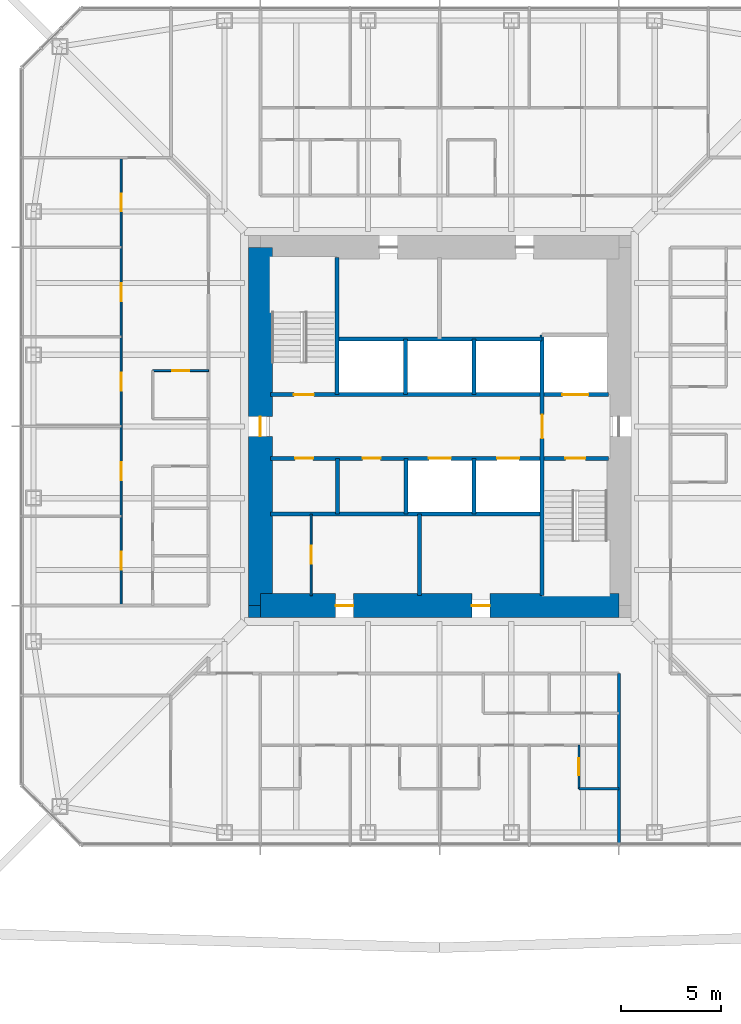
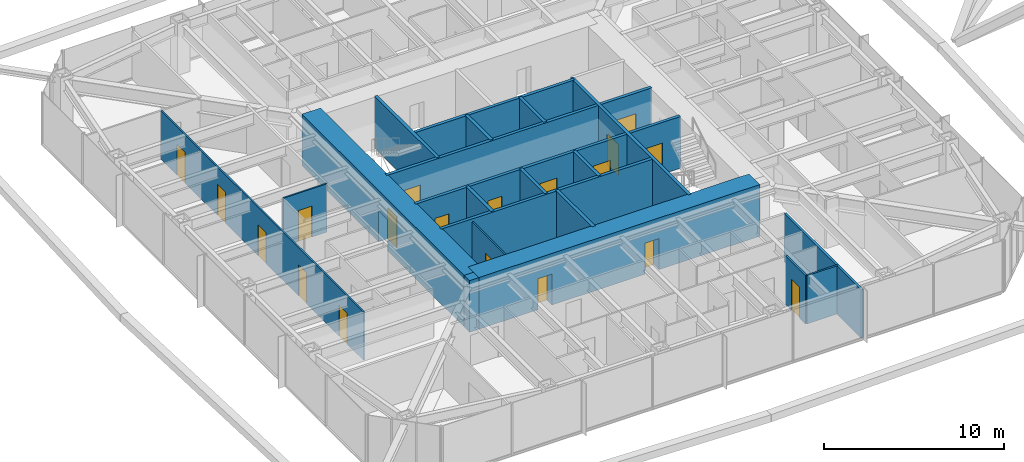
# One storey, part 16 of 27: 21 walls, 19 doors, 19 openings.
"""IFC4 building model written with IfcOpenShell, lengths in metres."""

import ifcopenshell
import ifcopenshell.guid

model = None  # the IFC model being written
_history = None  # IfcOwnerHistory: only IFC2X3 demands one
_inside = {}  # id of a spatial element -> (the spatial element, [elements in it])
_under = {}  # id of a project, library or spatial element -> (it, [spatial elements below it])
_declared = {}  # id of a project -> (the project, [libraries it declares])
_typed = {}  # id of a type object -> (the type object, [elements of that type])
_made_of = {}  # id of a material, layer set ... -> (it, [elements and type objects made of it])


def new_model(schema):
    """Start an empty IFC model of exactly this schema.

    Asked for "IFC4X3", IfcOpenShell would pick the latest addendum, in which some entities
    have other attributes; the version numbers below select the first issue.
    IFC2X3 requires an IfcOwnerHistory on every rooted entity: one is made here for all.
    """
    global model, _history
    if schema == "IFC4X3":
        model = ifcopenshell.file(schema_version=(4, 3, 0, 0))
    else:
        model = ifcopenshell.file(schema=schema)
    _inside.clear()
    _under.clear()
    _declared.clear()
    _typed.clear()
    _made_of.clear()
    _history = None
    if model.schema == "IFC2X3":
        org = make("IfcOrganization", Name="unknown")
        user = make(
            "IfcPersonAndOrganization",
            ThePerson=make("IfcPerson", FamilyName="unknown"),
            TheOrganization=org,
        )
        app = make(
            "IfcApplication",
            ApplicationDeveloper=org,
            Version="unknown",
            ApplicationFullName="unknown",
            ApplicationIdentifier="unknown",
        )
        _history = make(
            "IfcOwnerHistory",
            OwningUser=user,
            OwningApplication=app,
            ChangeAction="ADDED",
            CreationDate=0,
        )
    return model


def make(cls, **values):
    """One entity of the class cls with the attributes given. An attribute that is None is left unset."""
    return model.create_entity(
        cls, **{name: value for name, value in values.items() if value is not None}
    )


def rooted(cls, **values):
    """An entity with a GlobalId (a new one), such as an element, a storey or a relation."""
    return make(cls, GlobalId=ifcopenshell.guid.new(), OwnerHistory=_history, **values)


def si_unit(unit_type, name, prefix=None):
    """IfcSIUnit, for example si_unit("LENGTHUNIT", "METRE", prefix="MILLI")."""
    return make("IfcSIUnit", UnitType=unit_type, Prefix=prefix, Name=name)


def assignment(units):
    """IfcUnitAssignment: the units of a project."""
    return None if units is None else make("IfcUnitAssignment", Units=units)


def point(xyz):
    """IfcCartesianPoint."""
    return None if xyz is None else make("IfcCartesianPoint", Coordinates=xyz)


def direction(xyz):
    """IfcDirection."""
    return None if xyz is None else make("IfcDirection", DirectionRatios=xyz)


def frame(location, z_axis=None, x_axis=None):
    """IfcAxis2Placement3D, a coordinate frame: its origin and axes. An axis left out is left unset."""
    return make(
        "IfcAxis2Placement3D",
        Location=point(location),
        Axis=direction(z_axis),
        RefDirection=direction(x_axis),
    )


def frame_2d(location, x_axis=None):
    """IfcAxis2Placement2D, a coordinate frame in the plane: its origin and x axis."""
    return make(
        "IfcAxis2Placement2D", Location=point(location), RefDirection=direction(x_axis)
    )


def origin():
    """The frame at (0, 0, 0) with its axes left unset."""
    return frame((0.0, 0.0, 0.0))


def place(relative_to, where):
    """IfcLocalPlacement: puts the frame where relative to a parent placement (None: the world)."""
    return make(
        "IfcLocalPlacement", PlacementRelTo=relative_to, RelativePlacement=where
    )


def context(
    kind, dimensions, precision=None, world=None, true_north=None, identifier=None
):
    """IfcGeometricRepresentationContext, for example the 3D "Model" context."""
    return make(
        "IfcGeometricRepresentationContext",
        ContextIdentifier=identifier,
        ContextType=kind,
        CoordinateSpaceDimension=dimensions,
        Precision=precision,
        WorldCoordinateSystem=world,
        TrueNorth=true_north,
    )


def subcontext(parent, identifier, kind, view, scale=None):
    """IfcGeometricRepresentationSubContext, for example "Body" below "Model"."""
    return make(
        "IfcGeometricRepresentationSubContext",
        ContextIdentifier=identifier,
        ContextType=kind,
        ParentContext=parent,
        TargetScale=scale,
        TargetView=view,
    )


def project(units=None, contexts=None):
    """IfcProject with its units and contexts."""
    return rooted(
        "IfcProject",
        Name="project",
        RepresentationContexts=contexts,
        UnitsInContext=assignment(units),
    )


def spatial(cls, under=None, at=None, **own):
    """A site, building, storey or space (cls), placed at a placement, below another one or the project."""
    s = rooted(cls, ObjectPlacement=at, **own)
    if under is not None:
        _under.setdefault(under.id(), (under, []))[1].append(s)
    return s


def profile(cls, at=None, kind="AREA", **sizes):
    """A parametric profile (cls). Its sizes go by their IFC names, for example OverallWidth=200.0."""
    return make(cls, ProfileType=kind, Position=at, **sizes)


def rectangle(**sizes):
    """IfcRectangleProfileDef."""
    return profile("IfcRectangleProfileDef", **sizes)


def extrude(swept, where, along, depth):
    """IfcExtrudedAreaSolid: the profile swept, set in the frame where, extruded along a direction by depth."""
    return make(
        "IfcExtrudedAreaSolid",
        SweptArea=swept,
        Position=where,
        ExtrudedDirection=direction(along),
        Depth=depth,
    )


def shape(context_of_items, identifier, shape_type, items):
    """IfcShapeRepresentation: the items that make up one representation, for example the "Body"."""
    return make(
        "IfcShapeRepresentation",
        ContextOfItems=context_of_items,
        RepresentationIdentifier=identifier,
        RepresentationType=shape_type,
        Items=items,
    )


def material(Name=None, Category=None):
    """IfcMaterial."""
    return make("IfcMaterial", Name=Name, Category=Category)


def layer(
    of_material, thickness, ventilated=None, Name=None, Category=None, Priority=None
):
    """IfcMaterialLayer: one layer of a wall or slab, of a material (None: an air gap)."""
    return make(
        "IfcMaterialLayer",
        Material=of_material,
        LayerThickness=thickness,
        IsVentilated=ventilated,
        Name=Name,
        Category=Category,
        Priority=Priority,
    )


def layer_set(layers, Name=None):
    """IfcMaterialLayerSet."""
    return make("IfcMaterialLayerSet", MaterialLayers=layers, LayerSetName=Name)


def made_of(thing, what):
    """Note that an element or type object is made of a material, layer set ...; save() writes the relation."""
    if what is not None:
        _made_of.setdefault(what.id(), (what, []))[1].append(thing)
    return thing


def type_object(cls, material=None, **own):
    """A type object (cls), such as IfcWallType, which elements share."""
    return made_of(rooted(cls, **own), material)


def element(
    cls,
    number,
    at=None,
    inside=None,
    cuts=None,
    type_object=None,
    material=None,
    context=None,
    identifier="Body",
    shape_type=None,
    held_by="IfcProductDefinitionShape",
    body=None,
    shapes=None,
    **own,
):
    """One element of the class cls, such as IfcWall. Its Tag is "e" and its number.

    at: its placement. inside: the storey or other place that contains it. cuts: it is an
    opening in that element (IfcRelVoidsElement). A single representation is given by context,
    identifier, shape_type and body (its items); several are given by shapes. held_by: the class
    of the entity that holds the representations. save() writes the other relations.
    """
    e = rooted(cls, Tag="e%d" % number, ObjectPlacement=at, **own)
    if body is not None:
        shapes = [shape(context, identifier, shape_type, body)]
    if shapes is not None:
        e.Representation = make(held_by, Representations=shapes)
    if inside is not None:
        _inside.setdefault(inside.id(), (inside, []))[1].append(e)
    if cuts is not None:
        rooted(
            "IfcRelVoidsElement", RelatingBuildingElement=cuts, RelatedOpeningElement=e
        )
    if type_object is not None:
        _typed.setdefault(type_object.id(), (type_object, []))[1].append(e)
    return made_of(e, material)


def fill(opening, filler):
    """IfcRelFillsElement: the door or window that sits in an opening."""
    return rooted(
        "IfcRelFillsElement",
        RelatingOpeningElement=opening,
        RelatedBuildingElement=filler,
    )


def aggregate(whole, parts):
    """IfcRelAggregates: a whole, such as a stair, and the parts it consists of."""
    return rooted("IfcRelAggregates", RelatingObject=whole, RelatedObjects=parts)


def save(model, path):
    """Write the relations noted so far, then the file.

    IfcRelAggregates (storeys below a building ...), IfcRelContainedInSpatialStructure (elements
    in a storey), IfcRelDefinesByType, IfcRelAssociatesMaterial and IfcRelDeclares: one each for
    every whole, place, type object, material and project.
    """
    for whole, parts in _under.values():
        aggregate(whole, parts)
    for where, things in _inside.values():
        rooted(
            "IfcRelContainedInSpatialStructure",
            RelatedElements=things,
            RelatingStructure=where,
        )
    for kind, things in _typed.values():
        rooted("IfcRelDefinesByType", RelatedObjects=things, RelatingType=kind)
    for what, things in _made_of.values():
        rooted("IfcRelAssociatesMaterial", RelatedObjects=things, RelatingMaterial=what)
    for by, libraries in _declared.values():
        rooted("IfcRelDeclares", RelatingContext=by, RelatedDefinitions=libraries)
    model.write(path)


model = new_model("IFC4")

# Units and contexts
model_context = context("Model", 3, precision=1e-05, world=origin(), true_north=direction((0.0, 1.0)))
body_context = subcontext(model_context, "Body", "Model", "MODEL_VIEW")
ifc_project = project(units=[si_unit("LENGTHUNIT", "METRE"), si_unit("AREAUNIT", "SQUARE_METRE"), si_unit("VOLUMEUNIT", "CUBIC_METRE"), si_unit("PLANEANGLEUNIT", "RADIAN"), si_unit("MASSUNIT", "GRAM", prefix="KILO")], contexts=[model_context])

# Site, building, storey
site_placement = place(None, origin())
site = spatial("IfcSite", under=ifc_project, at=site_placement, CompositionType="ELEMENT")
building_placement = place(site_placement, origin())
building = spatial("IfcBuilding", under=site, at=building_placement, Name="Iwan Alto Co-Living Towers", CompositionType="ELEMENT")
storey_placement = place(building_placement, frame((0.0, 0.0, 91.0)))
storey = spatial("IfcBuildingStorey", under=building, at=storey_placement, Name="L24", CompositionType="ELEMENT", Elevation=91.0)

# Wall
ifc_material_1 = material(Name="Gypsum board")
ifc_layer_1 = layer(ifc_material_1, 0.02490234375, Name="Board", Category="Finish")
ifc_material_2 = material(Name="Steel ASTM A1003 ST33H cold-formed studs", Category="steel")
ifc_layer_2 = layer(ifc_material_2, 0.10009765625, Name="Studs", Category="Framing")
ifc_layer_3 = layer(ifc_material_1, 0.02490234375, Name="Board", Category="Finish")
ifc_layer_set_1 = layer_set([ifc_layer_1, ifc_layer_2, ifc_layer_3], Name="CORRIDOR WALL 150")
wall_type_1 = type_object("IfcWallType", Name="CORRIDOR WALL 150", PredefinedType="PARTITIONING", material=ifc_layer_set_1)
wall_1_placement = place(storey_placement, frame((9.0, -20.93994140625, 0.0), z_axis=(0.0, 0.0, 1.0), x_axis=(0.0, 1.0, 0.0)))
element("IfcWall", 1, at=wall_1_placement, inside=storey, type_object=wall_type_1, Name="Partition L24", PredefinedType="PARTITIONING", context=body_context, shape_type="SweptSolid", body=[
    extrude(rectangle(XDim=8.5400390625, YDim=0.14990234375, at=frame_2d((4.27001953125, 0.0))), origin(), (0.0, 0.0, 1.0), 3.27001953125),
])

# Wall, opening, door
ifc_layer_4 = layer(ifc_material_1, 0.012451171875, Name="Board", Category="Finish")
ifc_layer_5 = layer(ifc_material_2, 0.074951171875, Name="Studs", Category="Framing")
ifc_layer_6 = layer(ifc_material_1, 0.012451171875, Name="Board", Category="Finish")
ifc_layer_set_2 = layer_set([ifc_layer_4, ifc_layer_5, ifc_layer_6], Name="PARTITION 100")
wall_type_2 = type_object("IfcWallType", Name="PARTITION 100", PredefinedType="PARTITIONING", material=ifc_layer_set_2)
wall_2_placement = place(storey_placement, frame((-14.39990234375, 2.800048828125, 0.0), z_axis=(0.0, 0.0, 1.0), x_axis=(1.0, 0.0, 0.0)))
wall_2 = element("IfcWall", 2, at=wall_2_placement, inside=storey, type_object=wall_type_2, Name="Partition L24", PredefinedType="PARTITIONING", context=body_context, shape_type="SweptSolid", body=[
    extrude(rectangle(XDim=2.7998046875, YDim=0.10009765625, at=frame_2d((1.39990234375, 0.0))), origin(), (0.0, 0.0, 1.0), 3.27001953125),
])
opening_1_placement = place(wall_2_placement, frame((0.97509765625, 0.0, 0.0)))
opening_1 = element("IfcOpeningElement", 3, at=opening_1_placement, cuts=wall_2, Name="Opening D2", PredefinedType="OPENING", context=body_context, shape_type="SweptSolid", body=[
    extrude(rectangle(XDim=0.85009765625, YDim=2.10009765625, at=frame_2d((0.425048828125, 1.050048828125))), frame((0.0, 0.06005859375, 0.0), z_axis=(0.0, -1.0, 0.0), x_axis=(1.0, 0.0, 0.0)), (0.0, 0.0, 1.0), 0.1201171875),
])
ifc_material_3 = material(Name="Timber leaf in steel frame", Category="steel")
door_type_1 = type_object("IfcDoorType", Name="ROOM DOOR 850X2100", OperationType="SINGLE_SWING_LEFT", PredefinedType="DOOR", material=ifc_material_3)
door_1_placement = place(opening_1_placement, origin())
door_1 = element("IfcDoor", 4, at=door_1_placement, inside=storey, type_object=door_type_1, Name="Store room door L24", OperationType="SINGLE_SWING_RIGHT", OverallHeight=2.10009765625, OverallWidth=0.85009765625, PredefinedType="DOOR", context=body_context, shape_type="SweptSolid", body=[
    extrude(rectangle(XDim=0.85009765625, YDim=2.10009765625, at=frame_2d((0.425048828125, 1.050048828125))), frame((0.0, 0.02490234375, 0.0), z_axis=(0.0, -1.0, 0.0), x_axis=(1.0, 0.0, 0.0)), (0.0, 0.0, 1.0), 0.050048828125),
])
fill(opening_1, door_1)

wall_3_placement = place(storey_placement, frame((-6.449951171875, -8.489990234375, 0.0), z_axis=(0.0, 0.0, 1.0), x_axis=(0.0, 1.0, 0.0)))
wall_3 = element("IfcWall", 5, at=wall_3_placement, inside=storey, type_object=wall_type_2, Name="Partition L24", PredefinedType="PARTITIONING", context=body_context, shape_type="SweptSolid", body=[
    extrude(rectangle(XDim=4.090087890625, YDim=0.10009765625, at=frame_2d((2.044921875, 0.0))), origin(), (0.0, 0.0, 1.0), 3.300048828125),
])
opening_2_placement = place(wall_3_placement, frame((1.594970703125, 0.0, 0.0)))
opening_2 = element("IfcOpeningElement", 6, at=opening_2_placement, cuts=wall_3, Name="Opening D16", PredefinedType="OPENING", context=body_context, shape_type="SweptSolid", body=[
    extrude(rectangle(XDim=0.89990234375, YDim=2.10009765625, at=frame_2d((0.449951171875, 1.050048828125))), frame((0.0, 0.06005859375, 0.0), z_axis=(0.0, -1.0, 0.0), x_axis=(1.0, 0.0, 0.0)), (0.0, 0.0, 1.0), 0.1201171875),
])
ifc_material_4 = material(Name="Timber leaf in steel frame", Category="steel")
door_type_2 = type_object("IfcDoorType", Name="CUPBOARD SLIDING DOOR 900X2100", OperationType="SLIDING_TO_LEFT", PredefinedType="DOOR", material=ifc_material_4)
door_2_placement = place(opening_2_placement, origin())
door_2 = element("IfcDoor", 7, at=door_2_placement, inside=storey, type_object=door_type_2, Name="Cleaner's store door L24", OperationType="SLIDING_TO_LEFT", OverallHeight=2.10009765625, OverallWidth=0.89990234375, PredefinedType="DOOR", context=body_context, shape_type="SweptSolid", body=[
    extrude(rectangle(XDim=0.89990234375, YDim=2.10009765625, at=frame_2d((0.449951171875, 1.050048828125))), frame((0.0, 0.02490234375, 0.0), z_axis=(0.0, -1.0, 0.0), x_axis=(1.0, 0.0, 0.0)), (0.0, 0.0, 1.0), 0.050048828125),
])
fill(opening_2, door_2)

# Wall, openings, doors
wall_4_placement = place(storey_placement, frame((-16.0, -9.0, 0.0), z_axis=(0.0, 0.0, 1.0), x_axis=(0.0, 1.0, 0.0)))
wall_4 = element("IfcWall", 8, at=wall_4_placement, inside=storey, type_object=wall_type_2, Name="Partition L24", PredefinedType="PARTITIONING", context=body_context, shape_type="SweptSolid", body=[
    extrude(rectangle(XDim=22.5, YDim=0.10009765625, at=frame_2d((11.25, 0.0))), origin(), (0.0, 0.0, 1.0), 3.27001953125),
])
opening_3_placement = place(wall_4_placement, frame((19.800048828125, 0.0, 0.0)))
opening_3 = element("IfcOpeningElement", 9, at=opening_3_placement, cuts=wall_4, Name="Opening D1", PredefinedType="OPENING", context=body_context, shape_type="SweptSolid", body=[
    extrude(rectangle(XDim=0.89990234375, YDim=2.10009765625, at=frame_2d((0.449951171875, 1.050048828125))), frame((0.0, 0.06005859375, 0.0), z_axis=(0.0, -1.0, 0.0), x_axis=(1.0, 0.0, 0.0)), (0.0, 0.0, 1.0), 0.1201171875),
])
opening_4_placement = place(wall_4_placement, frame((15.300048828125, 0.0, 0.0)))
opening_4 = element("IfcOpeningElement", 10, at=opening_4_placement, cuts=wall_4, Name="Opening D1", PredefinedType="OPENING", context=body_context, shape_type="SweptSolid", body=[
    extrude(rectangle(XDim=0.89990234375, YDim=2.10009765625, at=frame_2d((0.449951171875, 1.050048828125))), frame((0.0, 0.06005859375, 0.0), z_axis=(0.0, -1.0, 0.0), x_axis=(1.0, 0.0, 0.0)), (0.0, 0.0, 1.0), 0.1201171875),
])
opening_5_placement = place(wall_4_placement, frame((10.800048828125, 0.0, 0.0)))
opening_5 = element("IfcOpeningElement", 11, at=opening_5_placement, cuts=wall_4, Name="Opening D1", PredefinedType="OPENING", context=body_context, shape_type="SweptSolid", body=[
    extrude(rectangle(XDim=0.89990234375, YDim=2.10009765625, at=frame_2d((0.449951171875, 1.050048828125))), frame((0.0, 0.06005859375, 0.0), z_axis=(0.0, -1.0, 0.0), x_axis=(1.0, 0.0, 0.0)), (0.0, 0.0, 1.0), 0.1201171875),
])
opening_6_placement = place(wall_4_placement, frame((6.300048828125, 0.0, 0.0)))
opening_6 = element("IfcOpeningElement", 12, at=opening_6_placement, cuts=wall_4, Name="Opening D1", PredefinedType="OPENING", context=body_context, shape_type="SweptSolid", body=[
    extrude(rectangle(XDim=0.89990234375, YDim=2.10009765625, at=frame_2d((0.449951171875, 1.050048828125))), frame((0.0, 0.06005859375, 0.0), z_axis=(0.0, -1.0, 0.0), x_axis=(1.0, 0.0, 0.0)), (0.0, 0.0, 1.0), 0.1201171875),
])
opening_7_placement = place(wall_4_placement, frame((1.800048828125, 0.0, 0.0)))
opening_7 = element("IfcOpeningElement", 13, at=opening_7_placement, cuts=wall_4, Name="Opening D1", PredefinedType="OPENING", context=body_context, shape_type="SweptSolid", body=[
    extrude(rectangle(XDim=0.89990234375, YDim=2.10009765625, at=frame_2d((0.449951171875, 1.050048828125))), frame((0.0, 0.06005859375, 0.0), z_axis=(0.0, -1.0, 0.0), x_axis=(1.0, 0.0, 0.0)), (0.0, 0.0, 1.0), 0.1201171875),
])
ifc_material_5 = material(Name="Timber leaf in steel frame", Category="steel")
door_type_3 = type_object("IfcDoorType", Name="BEDROOM DOOR 900X2100", OperationType="SINGLE_SWING_LEFT", PredefinedType="DOOR", material=ifc_material_5)
door_3_placement = place(opening_3_placement, frame((0.89990234375, 0.0, 0.0), z_axis=(0.0, 0.0, 1.0), x_axis=(-1.0, 0.0, 0.0)))
door_3 = element("IfcDoor", 14, at=door_3_placement, inside=storey, type_object=door_type_3, Name="Study bedroom door L24", OperationType="SINGLE_SWING_LEFT", OverallHeight=2.10009765625, OverallWidth=0.89990234375, PredefinedType="DOOR", context=body_context, shape_type="SweptSolid", body=[
    extrude(rectangle(XDim=0.89990234375, YDim=2.10009765625, at=frame_2d((0.449951171875, 1.050048828125))), frame((0.0, 0.02490234375, 0.0), z_axis=(0.0, -1.0, 0.0), x_axis=(1.0, 0.0, 0.0)), (0.0, 0.0, 1.0), 0.050048828125),
])
fill(opening_3, door_3)
door_4_placement = place(opening_4_placement, frame((0.89990234375, 0.0, 0.0), z_axis=(0.0, 0.0, 1.0), x_axis=(-1.0, 0.0, 0.0)))
door_4 = element("IfcDoor", 15, at=door_4_placement, inside=storey, type_object=door_type_3, Name="Study bedroom door L24", OperationType="SINGLE_SWING_LEFT", OverallHeight=2.10009765625, OverallWidth=0.89990234375, PredefinedType="DOOR", context=body_context, shape_type="SweptSolid", body=[
    extrude(rectangle(XDim=0.89990234375, YDim=2.10009765625, at=frame_2d((0.449951171875, 1.050048828125))), frame((0.0, 0.02490234375, 0.0), z_axis=(0.0, -1.0, 0.0), x_axis=(1.0, 0.0, 0.0)), (0.0, 0.0, 1.0), 0.050048828125),
])
fill(opening_4, door_4)
door_5_placement = place(opening_5_placement, frame((0.89990234375, 0.0, 0.0), z_axis=(0.0, 0.0, 1.0), x_axis=(-1.0, 0.0, 0.0)))
door_5 = element("IfcDoor", 16, at=door_5_placement, inside=storey, type_object=door_type_3, Name="Study bedroom door L24", OperationType="SINGLE_SWING_RIGHT", OverallHeight=2.10009765625, OverallWidth=0.89990234375, PredefinedType="DOOR", context=body_context, shape_type="SweptSolid", body=[
    extrude(rectangle(XDim=0.89990234375, YDim=2.10009765625, at=frame_2d((0.449951171875, 1.050048828125))), frame((0.0, 0.02490234375, 0.0), z_axis=(0.0, -1.0, 0.0), x_axis=(1.0, 0.0, 0.0)), (0.0, 0.0, 1.0), 0.050048828125),
])
fill(opening_5, door_5)
door_6_placement = place(opening_6_placement, frame((0.89990234375, 0.0, 0.0), z_axis=(0.0, 0.0, 1.0), x_axis=(-1.0, 0.0, 0.0)))
door_6 = element("IfcDoor", 17, at=door_6_placement, inside=storey, type_object=door_type_3, Name="Study bedroom door L24", OperationType="SINGLE_SWING_RIGHT", OverallHeight=2.10009765625, OverallWidth=0.89990234375, PredefinedType="DOOR", context=body_context, shape_type="SweptSolid", body=[
    extrude(rectangle(XDim=0.89990234375, YDim=2.10009765625, at=frame_2d((0.449951171875, 1.050048828125))), frame((0.0, 0.02490234375, 0.0), z_axis=(0.0, -1.0, 0.0), x_axis=(1.0, 0.0, 0.0)), (0.0, 0.0, 1.0), 0.050048828125),
])
fill(opening_6, door_6)
door_7_placement = place(opening_7_placement, frame((0.89990234375, 0.0, 0.0), z_axis=(0.0, 0.0, 1.0), x_axis=(-1.0, 0.0, 0.0)))
door_7 = element("IfcDoor", 18, at=door_7_placement, inside=storey, type_object=door_type_3, Name="Study bedroom door L24", OperationType="SINGLE_SWING_RIGHT", OverallHeight=2.10009765625, OverallWidth=0.89990234375, PredefinedType="DOOR", context=body_context, shape_type="SweptSolid", body=[
    extrude(rectangle(XDim=0.89990234375, YDim=2.10009765625, at=frame_2d((0.449951171875, 1.050048828125))), frame((0.0, 0.02490234375, 0.0), z_axis=(0.0, -1.0, 0.0), x_axis=(1.0, 0.0, 0.0)), (0.0, 0.0, 1.0), 0.050048828125),
])
fill(opening_7, door_7)

# Wall
ifc_material_6 = material(Name="Concrete f'c 70 MPa", Category="concrete")
ifc_layer_7 = layer(ifc_material_6, 0.199951171875)
ifc_layer_set_3 = layer_set([ifc_layer_7], Name="SHAFT WALL 200")
wall_type_3 = type_object("IfcWallType", Name="SHAFT WALL 200", PredefinedType="SOLIDWALL", material=ifc_layer_set_3)
wall_5_placement = place(storey_placement, frame((-8.489990234375, -4.39990234375, 0.0), z_axis=(0.0, 0.0, 1.0), x_axis=(1.0, 0.0, 0.0)))
element("IfcWall", 19, at=wall_5_placement, inside=storey, type_object=wall_type_3, Name="Shaft wall L24", PredefinedType="SOLIDWALL", context=body_context, shape_type="SweptSolid", body=[
    extrude(rectangle(XDim=13.639892578125, YDim=0.199951171875, at=frame_2d((6.81982421875, 0.0))), origin(), (0.0, 0.0, 1.0), 3.5),
])

# Wall, openings, doors
wall_6_placement = place(storey_placement, frame((-8.489990234375, -1.60009765625, 0.0), z_axis=(0.0, 0.0, 1.0), x_axis=(1.0, 0.0, 0.0)))
wall_6 = element("IfcWall", 20, at=wall_6_placement, inside=storey, type_object=wall_type_3, Name="Shaft wall L24", PredefinedType="SOLIDWALL", context=body_context, shape_type="SweptSolid", body=[
    extrude(rectangle(XDim=16.97998046875, YDim=0.199951171875, at=frame_2d((8.489990234375, 0.0))), origin(), (0.0, 0.0, 1.0), 3.5),
])
opening_8_placement = place(wall_6_placement, frame((14.81005859375, 0.0, 0.0)))
opening_8 = element("IfcOpeningElement", 21, at=opening_8_placement, cuts=wall_6, Name="Opening D5", PredefinedType="OPENING", context=body_context, shape_type="SweptSolid", body=[
    extrude(rectangle(XDim=1.0, YDim=2.10009765625, at=frame_2d((0.5, 1.050048828125))), frame((0.0, 0.10986328125, 0.0), z_axis=(0.0, -1.0, 0.0), x_axis=(1.0, 0.0, 0.0)), (0.0, 0.0, 1.0), 0.219970703125),
])
opening_9_placement = place(wall_6_placement, frame((1.23193359375, 0.0, 0.0)))
opening_9 = element("IfcOpeningElement", 22, at=opening_9_placement, cuts=wall_6, Name="Opening D15", PredefinedType="OPENING", context=body_context, shape_type="SweptSolid", body=[
    extrude(rectangle(XDim=0.89990234375, YDim=2.10009765625, at=frame_2d((0.449951171875, 1.050048828125))), frame((0.0, 0.10986328125, 0.0), z_axis=(0.0, -1.0, 0.0), x_axis=(1.0, 0.0, 0.0)), (0.0, 0.0, 1.0), 0.219970703125),
])
opening_10_placement = place(wall_6_placement, frame((4.626953125, 0.0, 0.0)))
opening_10 = element("IfcOpeningElement", 23, at=opening_10_placement, cuts=wall_6, Name="Opening D15", PredefinedType="OPENING", context=body_context, shape_type="SweptSolid", body=[
    extrude(rectangle(XDim=0.89990234375, YDim=2.10009765625, at=frame_2d((0.449951171875, 1.050048828125))), frame((0.0, 0.10986328125, 0.0), z_axis=(0.0, -1.0, 0.0), x_axis=(1.0, 0.0, 0.0)), (0.0, 0.0, 1.0), 0.219970703125),
])
opening_11_placement = place(wall_6_placement, frame((7.952880859375, 0.0, 0.0)))
opening_11 = element("IfcOpeningElement", 24, at=opening_11_placement, cuts=wall_6, Name="Opening LD", PredefinedType="OPENING", context=body_context, shape_type="SweptSolid", body=[
    extrude(rectangle(XDim=1.10009765625, YDim=2.10009765625, at=frame_2d((0.550048828125, 1.050048828125))), frame((0.0, 0.10986328125, 0.0), z_axis=(0.0, -1.0, 0.0), x_axis=(1.0, 0.0, 0.0)), (0.0, 0.0, 1.0), 0.219970703125),
])
opening_12_placement = place(wall_6_placement, frame((11.3779296875, 0.0, 0.0)))
opening_12 = element("IfcOpeningElement", 25, at=opening_12_placement, cuts=wall_6, Name="Opening LD", PredefinedType="OPENING", context=body_context, shape_type="SweptSolid", body=[
    extrude(rectangle(XDim=1.10009765625, YDim=2.10009765625, at=frame_2d((0.550048828125, 1.050048828125))), frame((0.0, 0.10986328125, 0.0), z_axis=(0.0, -1.0, 0.0), x_axis=(1.0, 0.0, 0.0)), (0.0, 0.0, 1.0), 0.219970703125),
])
ifc_material_7 = material(Name="Steel frame with timber leaf", Category="steel")
door_type_4 = type_object("IfcDoorType", Name="CORE ROOM DOOR FD60S 900X2100", OperationType="SINGLE_SWING_LEFT", PredefinedType="DOOR", material=ifc_material_7)
door_8_placement = place(opening_9_placement, frame((0.89990234375, 0.0, 0.0), z_axis=(0.0, 0.0, 1.0), x_axis=(-1.0, 0.0, 0.0)))
door_8 = element("IfcDoor", 26, at=door_8_placement, inside=storey, type_object=door_type_4, Name="Comms room door L24", OperationType="SINGLE_SWING_LEFT", OverallHeight=2.10009765625, OverallWidth=0.89990234375, PredefinedType="DOOR", context=body_context, shape_type="SweptSolid", body=[
    extrude(rectangle(XDim=0.89990234375, YDim=2.10009765625, at=frame_2d((0.449951171875, 1.050048828125))), frame((0.0, 0.02490234375, 0.0), z_axis=(0.0, -1.0, 0.0), x_axis=(1.0, 0.0, 0.0)), (0.0, 0.0, 1.0), 0.050048828125),
])
fill(opening_9, door_8)
door_9_placement = place(opening_10_placement, frame((0.89990234375, 0.0, 0.0), z_axis=(0.0, 0.0, 1.0), x_axis=(-1.0, 0.0, 0.0)))
door_9 = element("IfcDoor", 27, at=door_9_placement, inside=storey, type_object=door_type_4, Name="Staff WC door L24", OperationType="SINGLE_SWING_RIGHT", OverallHeight=2.10009765625, OverallWidth=0.89990234375, PredefinedType="DOOR", context=body_context, shape_type="SweptSolid", body=[
    extrude(rectangle(XDim=0.89990234375, YDim=2.10009765625, at=frame_2d((0.449951171875, 1.050048828125))), frame((0.0, 0.02490234375, 0.0), z_axis=(0.0, -1.0, 0.0), x_axis=(1.0, 0.0, 0.0)), (0.0, 0.0, 1.0), 0.050048828125),
])
fill(opening_10, door_9)
ifc_material_8 = material(Name="Steel frame with timber leaf", Category="steel")
door_type_5 = type_object("IfcDoorType", Name="LIFT LANDING DOOR 1100X2100", OperationType="DOUBLE_DOOR_SLIDING", PredefinedType="DOOR", material=ifc_material_8)
door_10_placement = place(opening_11_placement, origin())
door_10 = element("IfcDoor", 28, at=door_10_placement, inside=storey, type_object=door_type_5, Name="Lift P2-3 landing door L24", OperationType="DOUBLE_DOOR_SLIDING", OverallHeight=2.10009765625, OverallWidth=1.10009765625, PredefinedType="DOOR", context=body_context, shape_type="SweptSolid", body=[
    extrude(rectangle(XDim=1.10009765625, YDim=2.10009765625, at=frame_2d((0.550048828125, 1.050048828125))), frame((0.0, 0.02490234375, 0.0), z_axis=(0.0, -1.0, 0.0), x_axis=(1.0, 0.0, 0.0)), (0.0, 0.0, 1.0), 0.050048828125),
])
fill(opening_11, door_10)
door_11_placement = place(opening_12_placement, origin())
door_11 = element("IfcDoor", 29, at=door_11_placement, inside=storey, type_object=door_type_5, Name="Lift P2-4 landing door L24", OperationType="DOUBLE_DOOR_SLIDING", OverallHeight=2.10009765625, OverallWidth=1.10009765625, PredefinedType="DOOR", context=body_context, shape_type="SweptSolid", body=[
    extrude(rectangle(XDim=1.10009765625, YDim=2.10009765625, at=frame_2d((0.550048828125, 1.050048828125))), frame((0.0, 0.02490234375, 0.0), z_axis=(0.0, -1.0, 0.0), x_axis=(1.0, 0.0, 0.0)), (0.0, 0.0, 1.0), 0.050048828125),
])
fill(opening_12, door_11)
ifc_material_9 = material(Name="Steel frame with timber leaf", Category="steel")
door_type_6 = type_object("IfcDoorType", Name="STAIR DOOR FD120S 1000X2100", OperationType="SINGLE_SWING_LEFT", PredefinedType="DOOR", material=ifc_material_9)
door_12_placement = place(opening_8_placement, frame((1.0, 0.0, 0.0), z_axis=(0.0, 0.0, 1.0), x_axis=(-1.0, 0.0, 0.0)))
door_12 = element("IfcDoor", 30, at=door_12_placement, inside=storey, type_object=door_type_6, Name="Stair S2 door L24", OperationType="SINGLE_SWING_RIGHT", OverallHeight=2.10009765625, OverallWidth=1.0, PredefinedType="DOOR", context=body_context, shape_type="SweptSolid", body=[
    extrude(rectangle(XDim=1.0, YDim=2.10009765625, at=frame_2d((0.5, 1.050048828125))), frame((0.0, 0.02490234375, 0.0), z_axis=(0.0, -1.0, 0.0), x_axis=(1.0, 0.0, 0.0)), (0.0, 0.0, 1.0), 0.050048828125),
])
fill(opening_8, door_12)

wall_7_placement = place(storey_placement, frame((-8.489990234375, 1.60009765625, 0.0), z_axis=(0.0, 0.0, 1.0), x_axis=(1.0, 0.0, 0.0)))
wall_7 = element("IfcWall", 31, at=wall_7_placement, inside=storey, type_object=wall_type_3, Name="Shaft wall L24", PredefinedType="SOLIDWALL", context=body_context, shape_type="SweptSolid", body=[
    extrude(rectangle(XDim=16.97998046875, YDim=0.199951171875, at=frame_2d((8.489990234375, 0.0))), origin(), (0.0, 0.0, 1.0), 3.5),
])
opening_13_placement = place(wall_7_placement, frame((1.169921875, 0.0, 0.0)))
opening_13 = element("IfcOpeningElement", 32, at=opening_13_placement, cuts=wall_7, Name="Opening D5", PredefinedType="OPENING", context=body_context, shape_type="SweptSolid", body=[
    extrude(rectangle(XDim=1.0, YDim=2.10009765625, at=frame_2d((0.5, 1.050048828125))), frame((0.0, 0.10986328125, 0.0), z_axis=(0.0, -1.0, 0.0), x_axis=(1.0, 0.0, 0.0)), (0.0, 0.0, 1.0), 0.219970703125),
])
opening_14_placement = place(wall_7_placement, frame((14.659912109375, 0.0, 0.0)))
opening_14 = element("IfcOpeningElement", 33, at=opening_14_placement, cuts=wall_7, Name="Opening LD2", PredefinedType="OPENING", context=body_context, shape_type="SweptSolid", body=[
    extrude(rectangle(XDim=1.300048828125, YDim=2.10009765625, at=frame_2d((0.64990234375, 1.050048828125))), frame((0.0, 0.10986328125, 0.0), z_axis=(0.0, -1.0, 0.0), x_axis=(1.0, 0.0, 0.0)), (0.0, 0.0, 1.0), 0.219970703125),
])
ifc_material_10 = material(Name="Steel frame with timber leaf", Category="steel")
door_type_7 = type_object("IfcDoorType", Name="LIFT LANDING DOOR 1300X2100", OperationType="SLIDING_TO_LEFT", PredefinedType="DOOR", material=ifc_material_10)
door_13_placement = place(opening_14_placement, origin())
door_13 = element("IfcDoor", 34, at=door_13_placement, inside=storey, type_object=door_type_7, Name="Lift FL1 landing door L24", OperationType="SLIDING_TO_LEFT", OverallHeight=2.10009765625, OverallWidth=1.300048828125, PredefinedType="DOOR", context=body_context, shape_type="SweptSolid", body=[
    extrude(rectangle(XDim=1.300048828125, YDim=2.10009765625, at=frame_2d((0.64990234375, 1.050048828125))), frame((0.0, 0.02490234375, 0.0), z_axis=(0.0, -1.0, 0.0), x_axis=(1.0, 0.0, 0.0)), (0.0, 0.0, 1.0), 0.050048828125),
])
fill(opening_14, door_13)
door_14_placement = place(opening_13_placement, origin())
door_14 = element("IfcDoor", 35, at=door_14_placement, inside=storey, type_object=door_type_6, Name="Stair S1 door L24", OperationType="SINGLE_SWING_RIGHT", OverallHeight=2.10009765625, OverallWidth=1.0, PredefinedType="DOOR", context=body_context, shape_type="SweptSolid", body=[
    extrude(rectangle(XDim=1.0, YDim=2.10009765625, at=frame_2d((0.5, 1.050048828125))), frame((0.0, 0.02490234375, 0.0), z_axis=(0.0, -1.0, 0.0), x_axis=(1.0, 0.0, 0.0)), (0.0, 0.0, 1.0), 0.050048828125),
])
fill(opening_13, door_14)

# Wall
wall_8_placement = place(storey_placement, frame((-5.14990234375, 4.39990234375, 0.0), z_axis=(0.0, 0.0, 1.0), x_axis=(1.0, 0.0, 0.0)))
element("IfcWall", 36, at=wall_8_placement, inside=storey, type_object=wall_type_3, Name="Shaft wall L24", PredefinedType="SOLIDWALL", context=body_context, shape_type="SweptSolid", body=[
    extrude(rectangle(XDim=10.2998046875, YDim=0.199951171875, at=frame_2d((5.14990234375, 0.0))), origin(), (0.0, 0.0, 1.0), 3.5),
])

# Wall, opening, door
wall_9_placement = place(storey_placement, frame((5.14990234375, -8.489990234375, 0.0), z_axis=(0.0, 0.0, 1.0), x_axis=(0.0, 1.0, 0.0)))
wall_9 = element("IfcWall", 37, at=wall_9_placement, inside=storey, type_object=wall_type_3, Name="Shaft wall L24", PredefinedType="SOLIDWALL", context=body_context, shape_type="SweptSolid", body=[
    extrude(rectangle(XDim=13.090087890625, YDim=0.199951171875, at=frame_2d((6.544921875, 0.0))), origin(), (0.0, 0.0, 1.0), 3.5),
])
opening_15_placement = place(wall_9_placement, frame((7.889892578125, 0.0, 0.0)))
opening_15 = element("IfcOpeningElement", 38, at=opening_15_placement, cuts=wall_9, Name="Opening D6", PredefinedType="OPENING", context=body_context, shape_type="SweptSolid", body=[
    extrude(rectangle(XDim=1.199951171875, YDim=2.10009765625, at=frame_2d((0.60009765625, 1.050048828125))), frame((0.0, 0.10986328125, 0.0), z_axis=(0.0, -1.0, 0.0), x_axis=(1.0, 0.0, 0.0)), (0.0, 0.0, 1.0), 0.219970703125),
])
ifc_material_11 = material(Name="Steel frame with timber leaf", Category="steel")
door_type_8 = type_object("IfcDoorType", Name="LOBBY DOOR FD120S 1200X2100", OperationType="SINGLE_SWING_LEFT", PredefinedType="DOOR", material=ifc_material_11)
door_15_placement = place(opening_15_placement, frame((1.199951171875, 0.0, 0.0), z_axis=(0.0, 0.0, 1.0), x_axis=(-1.0, 0.0, 0.0)))
door_15 = element("IfcDoor", 39, at=door_15_placement, inside=storey, type_object=door_type_8, Name="Firefighting lobby door L24", OperationType="SINGLE_SWING_RIGHT", OverallHeight=2.10009765625, OverallWidth=1.199951171875, PredefinedType="DOOR", context=body_context, shape_type="SweptSolid", body=[
    extrude(rectangle(XDim=1.199951171875, YDim=2.10009765625, at=frame_2d((0.60009765625, 1.050048828125))), frame((0.0, 0.02490234375, 0.0), z_axis=(0.0, -1.0, 0.0), x_axis=(1.0, 0.0, 0.0)), (0.0, 0.0, 1.0), 0.050048828125),
])
fill(opening_15, door_15)

# Walls
for number, where, z_axis, x_axis, name in (
    (40, (1.72509765625, -4.39990234375, 0.0), (0.0, 0.0, 1.0), (0.0, 1.0, 0.0), "Shaft wall L24"),
    (41, (1.717041015625, 1.60009765625, 0.0), (0.0, 0.0, 1.0), (0.0, 1.0, 0.0), "Shaft wall L24"),
):
    element("IfcWall", number, at=place(storey_placement, frame(where, z_axis=z_axis, x_axis=x_axis)), inside=storey, type_object=wall_type_3, Name=name, PredefinedType="SOLIDWALL", context=body_context, shape_type="SweptSolid", body=[
        extrude(rectangle(XDim=2.7998046875, YDim=0.199951171875, at=frame_2d((1.39990234375, 0.0))), origin(), (0.0, 0.0, 1.0), 3.5),
    ])
wall_10_placement = place(storey_placement, frame((-1.0, -8.489990234375, 0.0), z_axis=(0.0, 0.0, 1.0), x_axis=(0.0, 1.0, 0.0)))
element("IfcWall", 42, at=wall_10_placement, inside=storey, type_object=wall_type_3, Name="Shaft wall L24", PredefinedType="SOLIDWALL", context=body_context, shape_type="SweptSolid", body=[
    extrude(rectangle(XDim=4.090087890625, YDim=0.199951171875, at=frame_2d((2.044921875, 0.0))), origin(), (0.0, 0.0, 1.0), 3.5),
])
for number, where, z_axis, x_axis, name in (
    (43, (-1.699951171875, -4.39990234375, 0.0), (0.0, 0.0, 1.0), (0.0, 1.0, 0.0), "Shaft wall L24"),
    (44, (-1.717041015625, 1.60009765625, 0.0), (0.0, 0.0, 1.0), (0.0, 1.0, 0.0), "Shaft wall L24"),
    (45, (-5.125, -4.39990234375, 0.0), (0.0, 0.0, 1.0), (0.0, 1.0, 0.0), "Shaft wall L24"),
):
    element("IfcWall", number, at=place(storey_placement, frame(where, z_axis=z_axis, x_axis=x_axis)), inside=storey, type_object=wall_type_3, Name=name, PredefinedType="SOLIDWALL", context=body_context, shape_type="SweptSolid", body=[
        extrude(rectangle(XDim=2.7998046875, YDim=0.199951171875, at=frame_2d((1.39990234375, 0.0))), origin(), (0.0, 0.0, 1.0), 3.5),
    ])
wall_11_placement = place(storey_placement, frame((-5.14990234375, 1.60009765625, 0.0), z_axis=(0.0, 0.0, 1.0), x_axis=(0.0, 1.0, 0.0)))
element("IfcWall", 46, at=wall_11_placement, inside=storey, type_object=wall_type_3, Name="Shaft wall L24", PredefinedType="SOLIDWALL", context=body_context, shape_type="SweptSolid", body=[
    extrude(rectangle(XDim=6.889892578125, YDim=0.199951171875, at=frame_2d((3.44482421875, 0.0))), origin(), (0.0, 0.0, 1.0), 3.5),
])
ifc_material_12 = material(Name="Concrete f'c 70 MPa", Category="concrete")
ifc_layer_8 = layer(ifc_material_12, 0.60009765625)
ifc_layer_set_4 = layer_set([ifc_layer_8], Name="T1 CORE CORNER FILL 600")
wall_type_4 = type_object("IfcWallType", Name="T1 CORE CORNER FILL 600", PredefinedType="SOLIDWALL", material=ifc_layer_set_4)
wall_12_placement = place(storey_placement, frame((-9.60009765625, -9.300048828125, 0.0), z_axis=(0.0, 0.0, 1.0), x_axis=(1.0, 0.0, 0.0)))
element("IfcWall", 47, at=wall_12_placement, inside=storey, type_object=wall_type_4, Name="T1 core corner SW L24", PredefinedType="SOLIDWALL", context=body_context, shape_type="SweptSolid", body=[
    extrude(rectangle(XDim=0.60009765625, YDim=0.60009765625, at=frame_2d((0.300048828125, 0.0))), origin(), (0.0, 0.0, 1.0), 3.5),
])

# Wall, openings, doors
ifc_material_13 = material(Name="Concrete f'c 70 MPa", Category="concrete")
ifc_layer_9 = layer(ifc_material_13, 1.199951171875)
ifc_layer_set_5 = layer_set([ifc_layer_9], Name="T1 CORE WALL 1200")
wall_type_5 = type_object("IfcWallType", Name="T1 CORE WALL 1200", PredefinedType="SHEAR", material=ifc_layer_set_5)
wall_13_placement = place(storey_placement, frame((-9.0, -9.0, 0.0), z_axis=(0.0, 0.0, 1.0), x_axis=(1.0, 0.0, 0.0)))
wall_13 = element("IfcWall", 48, at=wall_13_placement, inside=storey, type_object=wall_type_5, Name="T1 core wall S L24", PredefinedType="SHEAR", context=body_context, shape_type="SweptSolid", body=[
    extrude(rectangle(XDim=18.0, YDim=1.199951171875, at=frame_2d((9.0, 0.0))), origin(), (0.0, 0.0, 1.0), 3.5),
])
opening_16_placement = place(wall_13_placement, frame((3.77490234375, 0.0, 0.0)))
opening_16 = element("IfcOpeningElement", 49, at=opening_16_placement, cuts=wall_13, Name="Opening D8", PredefinedType="OPENING", context=body_context, shape_type="SweptSolid", body=[
    extrude(rectangle(XDim=0.89990234375, YDim=2.10009765625, at=frame_2d((0.449951171875, 1.050048828125))), frame((0.0, 0.60986328125, 0.0), z_axis=(0.0, -1.0, 0.0), x_axis=(1.0, 0.0, 0.0)), (0.0, 0.0, 1.0), 1.219970703125),
])
opening_17_placement = place(wall_13_placement, frame((10.625, 0.0, 0.0)))
opening_17 = element("IfcOpeningElement", 50, at=opening_17_placement, cuts=wall_13, Name="Opening D8", PredefinedType="OPENING", context=body_context, shape_type="SweptSolid", body=[
    extrude(rectangle(XDim=0.89990234375, YDim=2.10009765625, at=frame_2d((0.449951171875, 1.050048828125))), frame((0.0, 0.60986328125, 0.0), z_axis=(0.0, -1.0, 0.0), x_axis=(1.0, 0.0, 0.0)), (0.0, 0.0, 1.0), 1.219970703125),
])
ifc_material_14 = material(Name="Steel frame with timber leaf", Category="steel")
door_type_9 = type_object("IfcDoorType", Name="RISER DOOR FD120 900X2100", OperationType="SINGLE_SWING_LEFT", PredefinedType="DOOR", material=ifc_material_14)
door_16_placement = place(opening_16_placement, origin())
door_16 = element("IfcDoor", 51, at=door_16_placement, inside=storey, type_object=door_type_9, Name="Refuse room core door L24", OperationType="SINGLE_SWING_LEFT", OverallHeight=2.10009765625, OverallWidth=0.89990234375, PredefinedType="DOOR", context=body_context, shape_type="SweptSolid", body=[
    extrude(rectangle(XDim=0.89990234375, YDim=2.10009765625, at=frame_2d((0.449951171875, 1.050048828125))), frame((0.0, 0.02490234375, 0.0), z_axis=(0.0, -1.0, 0.0), x_axis=(1.0, 0.0, 0.0)), (0.0, 0.0, 1.0), 0.050048828125),
])
fill(opening_16, door_16)
door_17_placement = place(opening_17_placement, origin())
door_17 = element("IfcDoor", 52, at=door_17_placement, inside=storey, type_object=door_type_9, Name="Telecom riser core door L24", OperationType="SINGLE_SWING_LEFT", OverallHeight=2.10009765625, OverallWidth=0.89990234375, PredefinedType="DOOR", context=body_context, shape_type="SweptSolid", body=[
    extrude(rectangle(XDim=0.89990234375, YDim=2.10009765625, at=frame_2d((0.449951171875, 1.050048828125))), frame((0.0, 0.02490234375, 0.0), z_axis=(0.0, -1.0, 0.0), x_axis=(1.0, 0.0, 0.0)), (0.0, 0.0, 1.0), 0.050048828125),
])
fill(opening_17, door_17)

# Wall, opening, door
wall_14_placement = place(storey_placement, frame((-9.0, 9.0, 0.0), z_axis=(0.0, 0.0, 1.0), x_axis=(0.0, -1.0, 0.0)))
wall_14 = element("IfcWall", 53, at=wall_14_placement, inside=storey, type_object=wall_type_5, Name="T1 core wall W L24", PredefinedType="SHEAR", context=body_context, shape_type="SweptSolid", body=[
    extrude(rectangle(XDim=18.0, YDim=1.199951171875, at=frame_2d((9.0, 0.0))), origin(), (0.0, 0.0, 1.0), 3.5),
])
opening_18_placement = place(wall_14_placement, frame((8.5, 0.0, 0.0)))
opening_18 = element("IfcOpeningElement", 54, at=opening_18_placement, cuts=wall_14, Name="Opening D7", PredefinedType="OPENING", context=body_context, shape_type="SweptSolid", body=[
    extrude(rectangle(XDim=1.0, YDim=2.10009765625, at=frame_2d((0.5, 1.050048828125))), frame((0.0, 0.60986328125, 0.0), z_axis=(0.0, -1.0, 0.0), x_axis=(1.0, 0.0, 0.0)), (0.0, 0.0, 1.0), 1.219970703125),
])
ifc_material_15 = material(Name="Steel frame with timber leaf", Category="steel")
door_type_10 = type_object("IfcDoorType", Name="CORE DOOR FD120S 1000X2100", OperationType="SINGLE_SWING_LEFT", PredefinedType="DOOR", material=ifc_material_15)
door_18_placement = place(opening_18_placement, origin())
door_18 = element("IfcDoor", 55, at=door_18_placement, inside=storey, type_object=door_type_10, Name="Lift lobby core door L24", OperationType="SINGLE_SWING_RIGHT", OverallHeight=2.10009765625, OverallWidth=1.0, PredefinedType="DOOR", context=body_context, shape_type="SweptSolid", body=[
    extrude(rectangle(XDim=1.0, YDim=2.10009765625, at=frame_2d((0.5, 1.050048828125))), frame((0.0, 0.02490234375, 0.0), z_axis=(0.0, -1.0, 0.0), x_axis=(1.0, 0.0, 0.0)), (0.0, 0.0, 1.0), 0.050048828125),
])
fill(opening_18, door_18)

# Wall
ifc_material_16 = material(Name="Cement board")
ifc_layer_10 = layer(ifc_material_16, 0.012451171875, Name="Board", Category="Finish")
ifc_layer_11 = layer(ifc_material_2, 0.094970703125, Name="Studs", Category="Framing")
ifc_layer_12 = layer(ifc_material_16, 0.012451171875, Name="Board", Category="Finish")
ifc_layer_set_6 = layer_set([ifc_layer_10, ifc_layer_11, ifc_layer_12], Name="WET AREA PARTITION 120")
wall_type_6 = type_object("IfcWallType", Name="WET AREA PARTITION 120", PredefinedType="PARTITIONING", material=ifc_layer_set_6)
wall_15_placement = place(storey_placement, frame((7.0, -18.199951171875, 0.0), z_axis=(0.0, 0.0, 1.0), x_axis=(1.0, 0.0, 0.0)))
element("IfcWall", 56, at=wall_15_placement, inside=storey, type_object=wall_type_6, Name="Partition L24", PredefinedType="PARTITIONING", context=body_context, shape_type="SweptSolid", body=[
    extrude(rectangle(XDim=2.0, YDim=0.1201171875, at=frame_2d((1.0, 0.0))), origin(), (0.0, 0.0, 1.0), 3.27001953125),
])

# Wall, opening, door
wall_16_placement = place(storey_placement, frame((7.0, -18.199951171875, 0.0), z_axis=(0.0, 0.0, 1.0), x_axis=(0.0, 1.0, 0.0)))
wall_16 = element("IfcWall", 57, at=wall_16_placement, inside=storey, type_object=wall_type_6, Name="Partition L24", PredefinedType="PARTITIONING", context=body_context, shape_type="SweptSolid", body=[
    extrude(rectangle(XDim=2.199951171875, YDim=0.1201171875, at=frame_2d((1.10009765625, 0.0))), origin(), (0.0, 0.0, 1.0), 3.27001953125),
])
opening_19_placement = place(wall_16_placement, frame((0.675048828125, 0.0, 0.0)))
opening_19 = element("IfcOpeningElement", 58, at=opening_19_placement, cuts=wall_16, Name="Opening D2", PredefinedType="OPENING", context=body_context, shape_type="SweptSolid", body=[
    extrude(rectangle(XDim=0.85009765625, YDim=2.10009765625, at=frame_2d((0.425048828125, 1.050048828125))), frame((0.0, 0.070068359375, 0.0), z_axis=(0.0, -1.0, 0.0), x_axis=(1.0, 0.0, 0.0)), (0.0, 0.0, 1.0), 0.14013671875),
])
door_19_placement = place(opening_19_placement, origin())
door_19 = element("IfcDoor", 59, at=door_19_placement, inside=storey, type_object=door_type_1, Name="En-suite shower room door L24", OperationType="SINGLE_SWING_RIGHT", OverallHeight=2.10009765625, OverallWidth=0.85009765625, PredefinedType="DOOR", context=body_context, shape_type="SweptSolid", body=[
    extrude(rectangle(XDim=0.85009765625, YDim=2.10009765625, at=frame_2d((0.425048828125, 1.050048828125))), frame((0.0, 0.02490234375, 0.0), z_axis=(0.0, -1.0, 0.0), x_axis=(1.0, 0.0, 0.0)), (0.0, 0.0, 1.0), 0.050048828125),
])
fill(opening_19, door_19)

save(model, "model.ifc")
